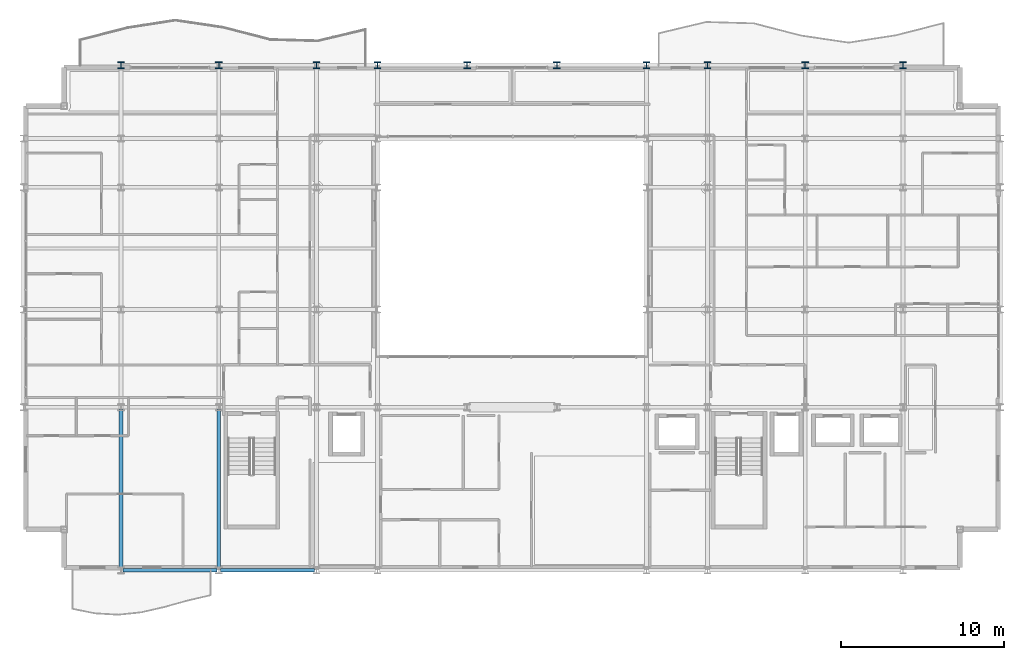
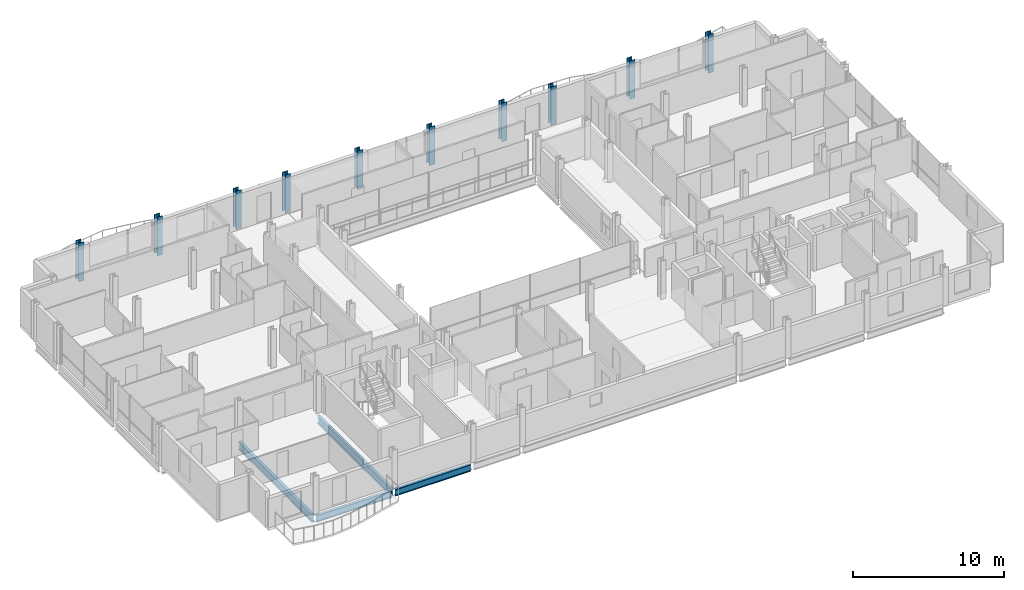
# One storey, part 3 of 41: 10 columns, 4 beams.
"""IFC4 building model written with IfcOpenShell, lengths in metres."""

from ifc_helpers import new_model, si_unit, direction, frame, origin, origin_2d, place, context, subcontext, project, spatial, i_section, extrude, material, material_profile, profile_set, type_object, element, save


model = new_model("IFC4")

# Units and contexts
model_context = context("Model", 3, precision=1e-05, world=origin(), true_north=direction((0.0, 1.0)))
body_context = subcontext(model_context, "Body", "Model", "MODEL_VIEW")
ifc_project = project(units=[si_unit("LENGTHUNIT", "METRE"), si_unit("AREAUNIT", "SQUARE_METRE"), si_unit("VOLUMEUNIT", "CUBIC_METRE"), si_unit("PLANEANGLEUNIT", "RADIAN"), si_unit("MASSUNIT", "GRAM", prefix="KILO")], contexts=[model_context])

# Site, building, storey
site_placement = place(None, origin())
site = spatial("IfcSite", under=ifc_project, at=site_placement, CompositionType="ELEMENT")
building_placement = place(site_placement, origin())
building = spatial("IfcBuilding", under=site, at=building_placement, Name="Brevholm Reach", CompositionType="ELEMENT")
storey_placement = place(building_placement, frame((0.0, 0.0, 169.699951171875)))
storey = spatial("IfcBuildingStorey", under=building, at=storey_placement, Name="L51", CompositionType="ELEMENT", Elevation=169.699951171875)

# Columns
ifc_material_1 = material(Name="Structural Steel S355J2", Category="steel")
ifc_material_profile_1 = material_profile(ifc_material_1, i_section(OverallWidth=0.406982421875, OverallDepth=0.4189453125, WebThickness=0.030517578125, FlangeThickness=0.04931640625, FilletRadius=0.01513671875, at=origin_2d()), Name="UKC 356x406x393")
ifc_profile_set_1 = profile_set([ifc_material_profile_1], Name="Structural Steel S355J2")
column_type = type_object("IfcColumnType", Name="COL-UC4", PredefinedType="COLUMN", material=ifc_profile_set_1)
for number, where, z_axis, x_axis, name in (
    (1, (6.0, 31.0, 0.0), (0.0, 0.0, 1.0), (1.0, 0.0, 0.0), "L51 Column 12"),
    (2, (12.0, 31.0, 0.0), (0.0, 0.0, 1.0), (1.0, 0.0, 0.0), "L51 Column 18"),
    (3, (18.0, 31.0, 0.0), (0.0, 0.0, 1.0), (1.0, 0.0, 0.0), "L51 Column 24"),
    (4, (21.75, 31.0, 0.0), (0.0, 0.0, 1.0), (1.0, 0.0, 0.0), "L51 Column 30"),
    (5, (27.25, 31.0, 0.0), (0.0, 0.0, 1.0), (1.0, 0.0, 0.0), "L51 Column 32"),
    (6, (32.75, 31.0, 0.0), (0.0, 0.0, 1.0), (1.0, 0.0, 0.0), "L51 Column 34"),
    (7, (38.25, 31.0, 0.0), (0.0, 0.0, 1.0), (1.0, 0.0, 0.0), "L51 Column 40"),
    (8, (42.0, 31.0, 0.0), (0.0, 0.0, 1.0), (1.0, 0.0, 0.0), "L51 Column 46"),
    (9, (48.0, 31.0, 0.0), (0.0, 0.0, 1.0), (1.0, 0.0, 0.0), "L51 Column 52"),
    (10, (54.0, 31.0, 0.0), (0.0, 0.0, 1.0), (1.0, 0.0, 0.0), "L51 Column 58"),
):
    element("IfcColumn", number, at=place(storey_placement, frame(where, z_axis=z_axis, x_axis=x_axis)), inside=storey, type_object=column_type, Name=name, PredefinedType="COLUMN", context=body_context, shape_type="SweptSolid", body=[
        extrude(i_section(OverallWidth=0.406982421875, OverallDepth=0.4189453125, WebThickness=0.030517578125, FlangeThickness=0.04931640625, FilletRadius=0.01513671875, at=origin_2d()), origin(), (0.0, 0.0, 1.0), 3.10009765625),
    ])

# Beams
ifc_material_2 = material(Name="Structural Steel S355J2", Category="steel")
ifc_material_profile_2 = material_profile(ifc_material_2, i_section(OverallWidth=0.209228515625, OverallDepth=0.533203125, WebThickness=0.010009765625, FlangeThickness=0.015625, FilletRadius=0.0126953125, at=origin_2d()), Name="UKB 533x210x92")
ifc_profile_set_2 = profile_set([ifc_material_profile_2], Name="Structural Steel S355J2")
beam_type_1 = type_object("IfcBeamType", Name="BM-SP533", PredefinedType="SPANDREL", material=ifc_profile_set_2)
for number, where, z_axis, x_axis, name in (
    (11, (6.1201171875, 0.0, -0.486572265625), (1.0, 0.0, 0.0), (0.0, 1.0, 0.0), "L51 SP-02 Framing Beam"),
    (12, (12.1201171875, 0.0, -0.486572265625), (1.0, 0.0, 0.0), (0.0, 1.0, 0.0), "L51 SP-02 Framing Beam"),
):
    element("IfcBeam", number, at=place(storey_placement, frame(where, z_axis=z_axis, x_axis=x_axis)), inside=storey, type_object=beam_type_1, Name=name, PredefinedType="SPANDREL", context=body_context, shape_type="SweptSolid", body=[
        extrude(i_section(OverallWidth=0.209228515625, OverallDepth=0.533203125, WebThickness=0.010009765625, FlangeThickness=0.015625, FilletRadius=0.0126953125, at=origin_2d()), origin(), (0.0, 0.0, 1.0), 5.759765625),
    ])
ifc_material_3 = material(Name="Structural Steel S355J2", Category="steel")
ifc_material_profile_3 = material_profile(ifc_material_3, i_section(OverallWidth=0.22900390625, OverallDepth=0.6123046875, WebThickness=0.011962890625, FlangeThickness=0.01953125, FilletRadius=0.0126953125, at=origin_2d()), Name="UKB 610x229x125")
ifc_profile_set_3 = profile_set([ifc_material_profile_3], Name="Structural Steel S355J2")
beam_type_2 = type_object("IfcBeamType", Name="BM-SP610", PredefinedType="SPANDREL", material=ifc_profile_set_3)
for number, where, z_axis, x_axis, name in (
    (13, (6.0, 0.1201171875, -0.526123046875), (0.0, 1.0, 0.0), (-1.0, 0.0, 0.0), "L51 SP-01 Framing Beam"),
    (14, (12.0, 0.1201171875, -0.526123046875), (0.0, 1.0, 0.0), (-1.0, 0.0, 0.0), "L51 SP-01 Framing Beam"),
):
    element("IfcBeam", number, at=place(storey_placement, frame(where, z_axis=z_axis, x_axis=x_axis)), inside=storey, type_object=beam_type_2, Name=name, PredefinedType="SPANDREL", context=body_context, shape_type="SweptSolid", body=[
        extrude(i_section(OverallWidth=0.22900390625, OverallDepth=0.6123046875, WebThickness=0.011962890625, FlangeThickness=0.01953125, FilletRadius=0.0126953125, at=origin_2d()), origin(), (0.0, 0.0, 1.0), 9.759765625),
    ])

save(model, "model.ifc")
